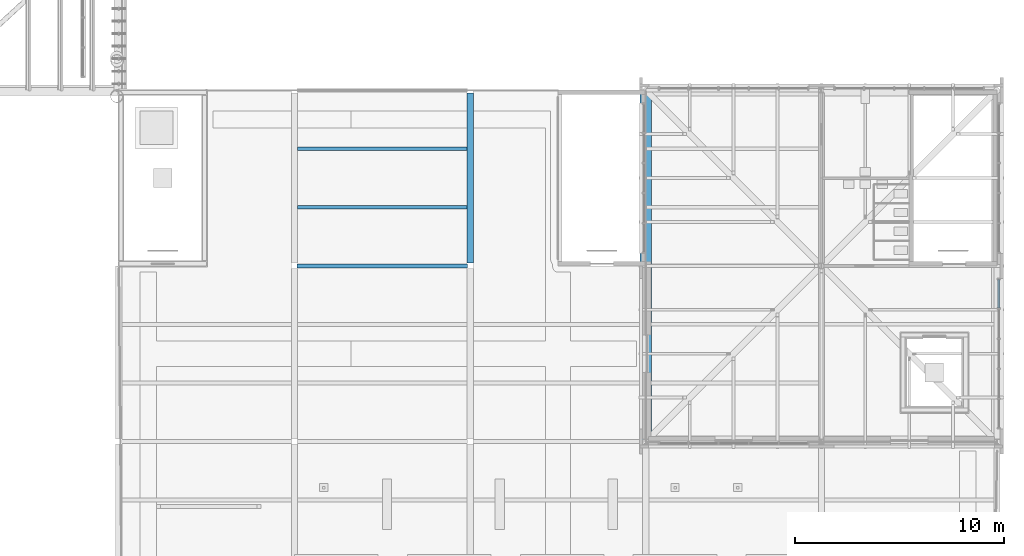
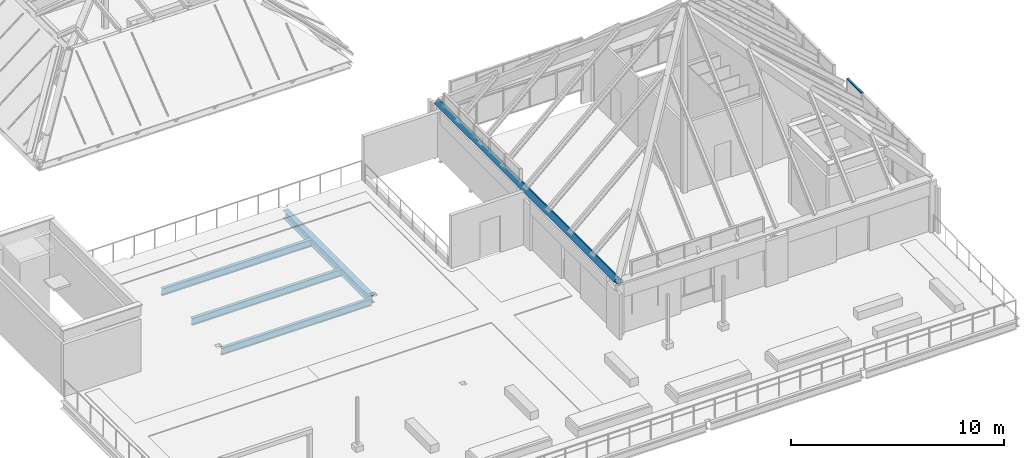
# One storey, part 36 of 126: 5 beams, 1 member, 1 element without a shape of its own.
"""IFC4 building model written with IfcOpenShell, lengths in metres."""

from ifc_helpers import new_model, si_unit, direction, frame, origin, origin_2d, place, context, subcontext, project, spatial, polyline, rectangle, i_section, outline, extrude, material, material_profile, profile_set, type_object, element, aggregate, save


model = new_model("IFC4")

# Units and contexts
model_context = context("Model", 3, precision=1e-05, world=origin(), true_north=direction((0.0, 1.0)))
body_context = subcontext(model_context, "Body", "Model", "MODEL_VIEW")
ifc_project = project(units=[si_unit("LENGTHUNIT", "METRE"), si_unit("AREAUNIT", "SQUARE_METRE"), si_unit("VOLUMEUNIT", "CUBIC_METRE"), si_unit("PLANEANGLEUNIT", "RADIAN"), si_unit("MASSUNIT", "GRAM", prefix="KILO")], contexts=[model_context])

# Site, building, storey
site_placement = place(None, origin())
site = spatial("IfcSite", under=ifc_project, at=site_placement, CompositionType="ELEMENT")
building_placement = place(site_placement, origin())
building = spatial("IfcBuilding", under=site, at=building_placement, Name="Sava Quay Ferry Terminal", CompositionType="ELEMENT")
storey_placement = place(building_placement, frame((0.0, 0.0, 15.0)))
storey = spatial("IfcBuildingStorey", under=building, at=storey_placement, Name="L03", CompositionType="ELEMENT", Elevation=15.0)

# Beams
ifc_material_1 = material(Name="Steel S355", Category="steel")
ifc_material_profile_1 = material_profile(ifc_material_1, i_section(OverallWidth=0.179931640625, OverallDepth=0.39990234375, WebThickness=0.008544921875, FlangeThickness=0.013427734375, at=origin_2d()), Name="IPE 400")
ifc_profile_set_1 = profile_set([ifc_material_profile_1], Name="Steel S355")
beam_type_1 = type_object("IfcBeamType", Name="Beam IPE 400", PredefinedType="BEAM", material=ifc_profile_set_1)
beam_1_placement = place(storey_placement, frame((92.530029296875, 42.0, -0.35009765625), z_axis=(1.0, 0.0, 0.0), x_axis=(0.0, 1.0, 0.0)))
element("IfcBeam", 1, at=beam_1_placement, inside=storey, type_object=beam_type_1, Name="Beam L03", PredefinedType="BEAM", context=body_context, shape_type="SweptSolid", body=[
    extrude(i_section(OverallWidth=0.179931640625, OverallDepth=0.39990234375, WebThickness=0.008544921875, FlangeThickness=0.013427734375, at=origin_2d()), origin(), (0.0, 0.0, 1.0), 8.139892578125),
])
for number, where, z_axis, x_axis, name in (
    (2, (92.550048828125, 44.800048828125, -0.35009765625), (1.0, 0.0, 0.0), (0.0, 1.0, 0.0), "Secondary beam L03"),
    (3, (92.550048828125, 47.60009765625, -0.35009765625), (1.0, 0.0, 0.0), (0.0, 1.0, 0.0), "Secondary beam L03"),
):
    element("IfcBeam", number, at=place(storey_placement, frame(where, z_axis=z_axis, x_axis=x_axis)), inside=storey, type_object=beam_type_1, Name=name, PredefinedType="BEAM", context=body_context, shape_type="SweptSolid", body=[
        extrude(i_section(OverallWidth=0.179931640625, OverallDepth=0.39990234375, WebThickness=0.008544921875, FlangeThickness=0.013427734375, at=origin_2d()), origin(), (0.0, 0.0, 1.0), 8.099853515625),
    ])
ifc_material_2 = material(Name="Steel S355", Category="steel")
ifc_material_profile_2 = material_profile(ifc_material_2, outline(polyline([(-0.14990234375, -0.228515625), (0.14990234375, -0.228515625), (0.14990234375, 0.228515625), (-0.14990234375, 0.228515625), (-0.14990234375, -0.228515625)]), holes=[polyline([(-0.1298828125, -0.20849609375), (-0.1298828125, 0.20849609375), (0.1298828125, 0.20849609375), (0.1298828125, -0.20849609375), (-0.1298828125, -0.20849609375)])]), Name="Box 457x300x20 built-up")
ifc_profile_set_2 = profile_set([ifc_material_profile_2], Name="Steel S355")
beam_type_2 = type_object("IfcBeamType", Name="Fascia beam Box 457x300x20", PredefinedType="BEAM", material=ifc_profile_set_2)
beam_2_placement = place(storey_placement, frame((109.199951171875, 50.39990234375, 2.89990234375), z_axis=(0.0, -1.0, 0.0), x_axis=(0.743144825477, 0.0, 0.669130606359)))
element("IfcBeam", 4, at=beam_2_placement, inside=storey, type_object=beam_type_2, Name="East pavilion eave fascia beam EA1", PredefinedType="BEAM", context=body_context, shape_type="SweptSolid", body=[
    extrude(outline(polyline([(-0.14990234375, -0.228515625), (0.14990234375, -0.228515625), (0.14990234375, 0.228515625), (-0.14990234375, 0.228515625), (-0.14990234375, -0.228515625)]), holes=[polyline([(-0.1298828125, -0.20849609375), (-0.1298828125, 0.20849609375), (0.1298828125, 0.20849609375), (0.1298828125, -0.20849609375), (-0.1298828125, -0.20849609375)])]), origin(), (0.0, 0.0, 1.0), 16.7998046875),
])
ifc_material_3 = material(Name="Steel S355", Category="steel")
ifc_material_profile_3 = material_profile(ifc_material_3, i_section(OverallWidth=0.300048828125, OverallDepth=0.449951171875, WebThickness=0.013916015625, FlangeThickness=0.02587890625, at=origin_2d()), Name="HE 450 B")
ifc_profile_set_3 = profile_set([ifc_material_profile_3], Name="Steel S355")
beam_type_3 = type_object("IfcBeamType", Name="Girder HE 450 B", PredefinedType="BEAM", material=ifc_profile_set_3)
beam_3_placement = place(storey_placement, frame((100.800048828125, 42.1298828125, -0.375), z_axis=(0.0, 1.0, 0.0), x_axis=(-1.0, 0.0, 0.0)))
element("IfcBeam", 5, at=beam_3_placement, inside=storey, type_object=beam_type_3, Name="Girder L03", PredefinedType="BEAM", context=body_context, shape_type="SweptSolid", body=[
    extrude(i_section(OverallWidth=0.300048828125, OverallDepth=0.449951171875, WebThickness=0.013916015625, FlangeThickness=0.02587890625, at=origin_2d()), origin(), (0.0, 0.0, 1.0), 8.14013671875),
])

# Curtain wall, member
ifc_material_4 = material(Name="Aluminium and glass curtain wall, double low-e glazed", Category="aluminium")
curtain_wall_type = type_object("IfcCurtainWallType", Name="Curtain wall CW-F flank", PredefinedType="NOTDEFINED", material=ifc_material_4)
curtain_wall_placement = place(storey_placement, origin())
curtain_wall = element("IfcCurtainWall", 6, at=curtain_wall_placement, inside=storey, type_object=curtain_wall_type, Name="Curtain wall P-PAV-E L03 bay 1", PredefinedType="NOTDEFINED")
ifc_material_5 = material(Name="Aluminium EN AW-6063 T6", Category="aluminium")
ifc_material_profile_4 = material_profile(ifc_material_5, rectangle(XDim=0.1201171875, YDim=0.050048828125, at=origin_2d()), Name="Transom 50x120 aluminium")
ifc_profile_set_4 = profile_set([ifc_material_profile_4], Name="Aluminium EN AW-6063 T6")
member_type = type_object("IfcMemberType", Name="Transom 50x120 aluminium", PredefinedType="USERDEFINED", material=ifc_profile_set_4)
member_placement = place(storey_placement, frame((126.0849609375, 39.989990234375, 3.875), z_axis=(0.0, 1.0, 0.0), x_axis=(-1.0, 0.0, 0.0)))
member = element("IfcMember", 7, at=member_placement, type_object=member_type, Name="CW113 transom 5.3", ObjectType="TRANSOM", PredefinedType="USERDEFINED", context=body_context, shape_type="SweptSolid", body=[
    extrude(rectangle(XDim=0.1201171875, YDim=0.050048828125, at=origin_2d()), origin(), (0.0, 0.0, 1.0), 1.35009765625),
])
aggregate(curtain_wall, [member])

save(model, "model.ifc")
